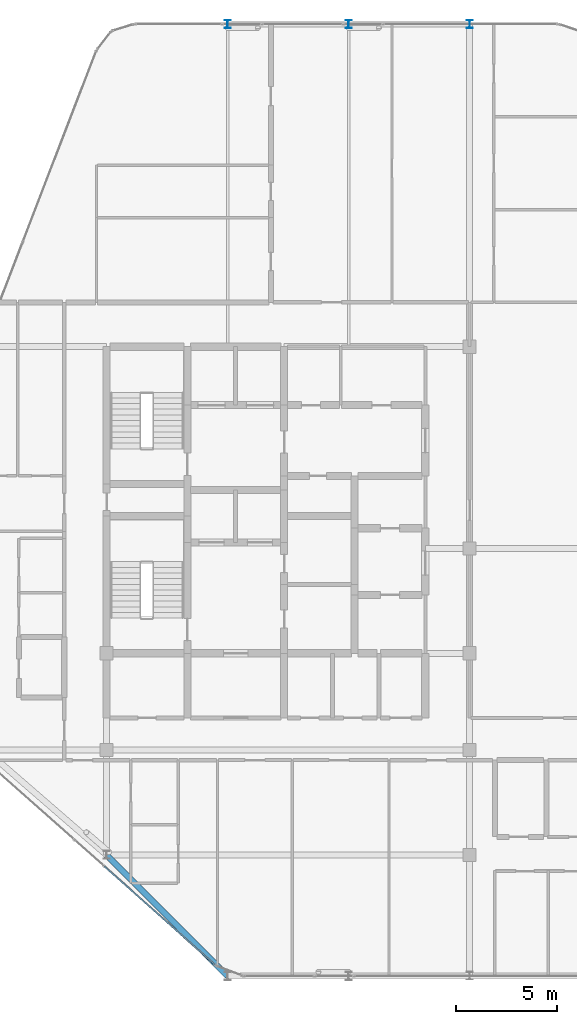
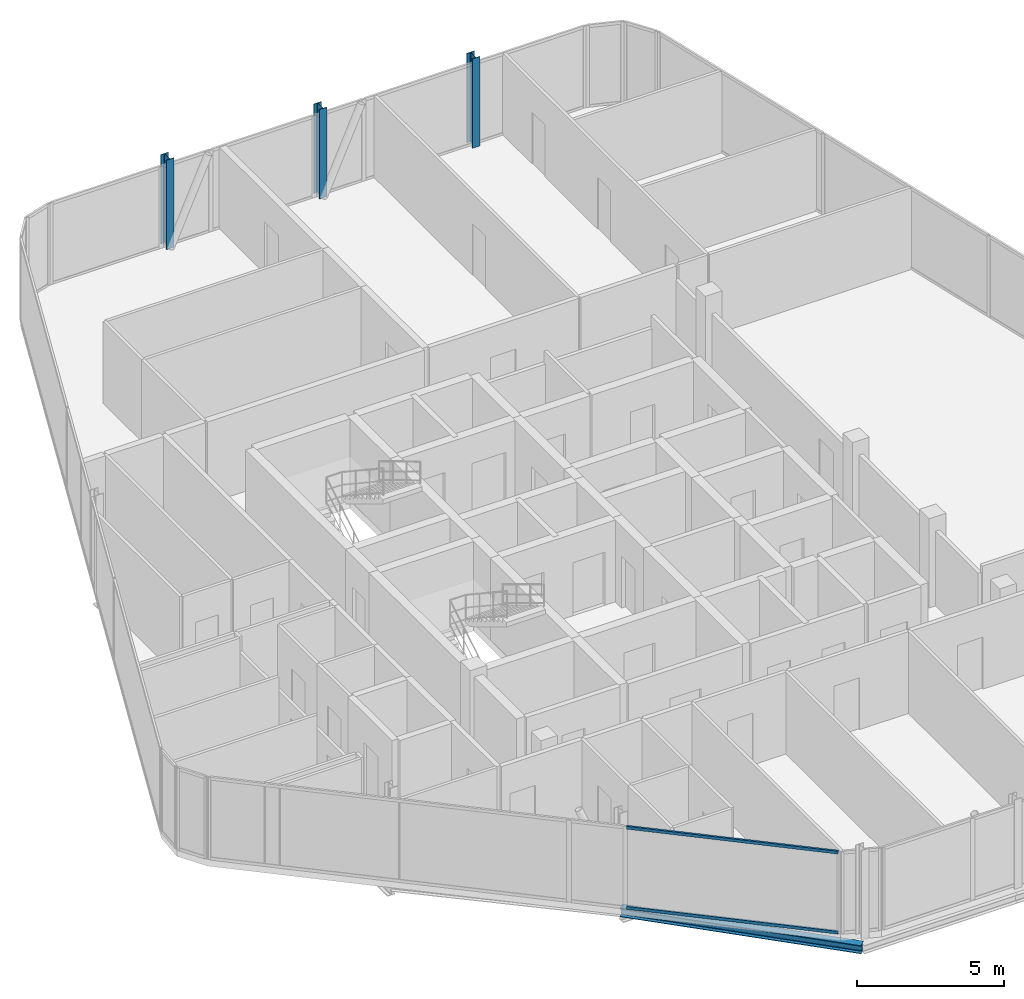
# One storey, part 2 of 27: 3 columns, 2 members, 1 beam, 1 element without a shape of its own.
"""IFC4 building model written with IfcOpenShell, lengths in metres."""

from ifc_helpers import new_model, si_unit, direction, frame, origin, origin_2d, place, context, subcontext, project, spatial, hollow_rectangle, i_section, extrude, material, layer, layer_set, material_profile, profile_set, type_object, element, aggregate, save


model = new_model("IFC4")

# Units and contexts
model_context = context("Model", 3, precision=1e-05, world=origin(), true_north=direction((0.0, 1.0)))
body_context = subcontext(model_context, "Body", "Model", "MODEL_VIEW")
ifc_project = project(units=[si_unit("LENGTHUNIT", "METRE"), si_unit("AREAUNIT", "SQUARE_METRE"), si_unit("VOLUMEUNIT", "CUBIC_METRE"), si_unit("PLANEANGLEUNIT", "RADIAN"), si_unit("MASSUNIT", "GRAM", prefix="KILO")], contexts=[model_context])

# Site, building, storey
site_placement = place(None, origin())
site = spatial("IfcSite", under=ifc_project, at=site_placement, CompositionType="ELEMENT")
building_placement = place(site_placement, origin())
building = spatial("IfcBuilding", under=site, at=building_placement, Name="Keshet Zoharim Tower", CompositionType="ELEMENT")
storey_placement = place(building_placement, frame((0.0, 0.0, 307.300048828125)))
storey = spatial("IfcBuildingStorey", under=building, at=storey_placement, Name="L77", CompositionType="ELEMENT", Elevation=307.300048828125)

# Columns
ifc_material_1 = material(Name="Steel S355", Category="steel")
ifc_material_profile_1 = material_profile(ifc_material_1, i_section(OverallWidth=0.300048828125, OverallDepth=0.39990234375, WebThickness=0.013427734375, FlangeThickness=0.02392578125, FilletRadius=0.027099609375, at=origin_2d()), Name="HEB400")
ifc_profile_set_1 = profile_set([ifc_material_profile_1], Name="Steel S355")
column_type = type_object("IfcColumnType", Name="COL-HEB400", PredefinedType="COLUMN", material=ifc_profile_set_1)
for number, where, z_axis, x_axis, name in (
    (1, (21.0, 53.89990234375, 0.0), (0.0, 0.0, 1.0), (1.0, 0.0, 0.0), "L77 Column 4L"),
    (2, (27.0, 53.89990234375, 0.0), (0.0, 0.0, 1.0), (1.0, 0.0, 0.0), "L77 Column 5L"),
    (3, (33.0, 53.89990234375, 0.0), (0.0, 0.0, 1.0), (1.0, 0.0, 0.0), "L77 Column 6L"),
):
    element("IfcColumn", number, at=place(storey_placement, frame(where, z_axis=z_axis, x_axis=x_axis)), inside=storey, type_object=column_type, Name=name, PredefinedType="COLUMN", context=body_context, shape_type="SweptSolid", body=[
        extrude(i_section(OverallWidth=0.300048828125, OverallDepth=0.39990234375, WebThickness=0.013427734375, FlangeThickness=0.02392578125, FilletRadius=0.027099609375, at=origin_2d()), origin(), (0.0, 0.0, 1.0), 3.699951171875),
    ])

# Beam
ifc_material_profile_2 = material_profile(ifc_material_1, i_section(OverallWidth=0.300048828125, OverallDepth=0.340087890625, WebThickness=0.011962890625, FlangeThickness=0.021484375, FilletRadius=0.027099609375, at=origin_2d()), Name="HEB340")
ifc_profile_set_2 = profile_set([ifc_material_profile_2], Name="Steel S355")
beam_type = type_object("IfcBeamType", Name="BM-SPN-HB340", PredefinedType="SPANDREL", material=ifc_profile_set_2)
beam_placement = place(storey_placement, frame((21.0, 6.699951171875, -0.47998046875), z_axis=(-0.707106781187, 0.707106781187, 0.0), x_axis=(-0.707106781187, -0.707106781187, 0.0)))
element("IfcBeam", 4, at=beam_placement, inside=storey, type_object=beam_type, Name="L77 Perimeter Spandrel Beam 01", PredefinedType="SPANDREL", context=body_context, shape_type="SweptSolid", body=[
    extrude(i_section(OverallWidth=0.300048828125, OverallDepth=0.340087890625, WebThickness=0.011962890625, FlangeThickness=0.021484375, FilletRadius=0.027099609375, at=origin_2d()), origin(), (0.0, 0.0, 1.0), 8.4853515625),
])

# Curtain wall, members
ifc_material_2 = material(Name="Aluminium 6063-T6", Category="aluminium")
ifc_layer = layer(ifc_material_2, 0.260009765625)
ifc_layer_set = layer_set([ifc_layer], Name="Aluminium 6063-T6")
curtain_wall_type = type_object("IfcCurtainWallType", Name="CW-SYS-06", PredefinedType="NOTDEFINED", material=ifc_layer_set)
curtain_wall_placement = place(storey_placement, origin())
curtain_wall = element("IfcCurtainWall", 5, at=curtain_wall_placement, inside=storey, type_object=curtain_wall_type, Name="L77 Unitised Curtain Wall 16", PredefinedType="NOTDEFINED")
ifc_material_profile_3 = material_profile(ifc_material_2, hollow_rectangle(XDim=0.074951171875, YDim=0.1201171875, WallThickness=0.00390625, at=origin_2d()), Name="TRN-75x120")
ifc_profile_set_3 = profile_set([ifc_material_profile_3], Name="Aluminium 6063-T6")
member_type = type_object("IfcMemberType", Name="CWT-T12", PredefinedType="USERDEFINED", material=ifc_profile_set_3)
member_1_placement = place(storey_placement, frame((20.379638671875, 7.25146484375, 0.034912109375), z_axis=(-0.747412985939, 0.664359713145, 0.0), x_axis=(-0.664359713145, -0.747412985939, 0.0)))
member_1 = element("IfcMember", 6, at=member_1_placement, type_object=member_type, Name="CW-06 transom 1.1", ObjectType="TRANSOM", PredefinedType="USERDEFINED", context=body_context, shape_type="SweptSolid", body=[
    extrude(hollow_rectangle(XDim=0.074951171875, YDim=0.1201171875, WallThickness=0.00390625, at=origin_2d()), origin(), (0.0, 0.0, 1.0), 7.345947265625),
])
member_2_placement = place(storey_placement, frame((20.379638671875, 7.25146484375, 3.35498046875), z_axis=(-0.747412985939, 0.664359713145, 0.0), x_axis=(-0.664359713145, -0.747412985939, 0.0)))
member_2 = element("IfcMember", 7, at=member_2_placement, type_object=member_type, Name="CW-06 transom 1.2", ObjectType="TRANSOM", PredefinedType="USERDEFINED", context=body_context, shape_type="SweptSolid", body=[
    extrude(hollow_rectangle(XDim=0.074951171875, YDim=0.1201171875, WallThickness=0.00390625, at=origin_2d()), origin(), (0.0, 0.0, 1.0), 7.345947265625),
])
aggregate(curtain_wall, [member_1, member_2])

save(model, "model.ifc")
